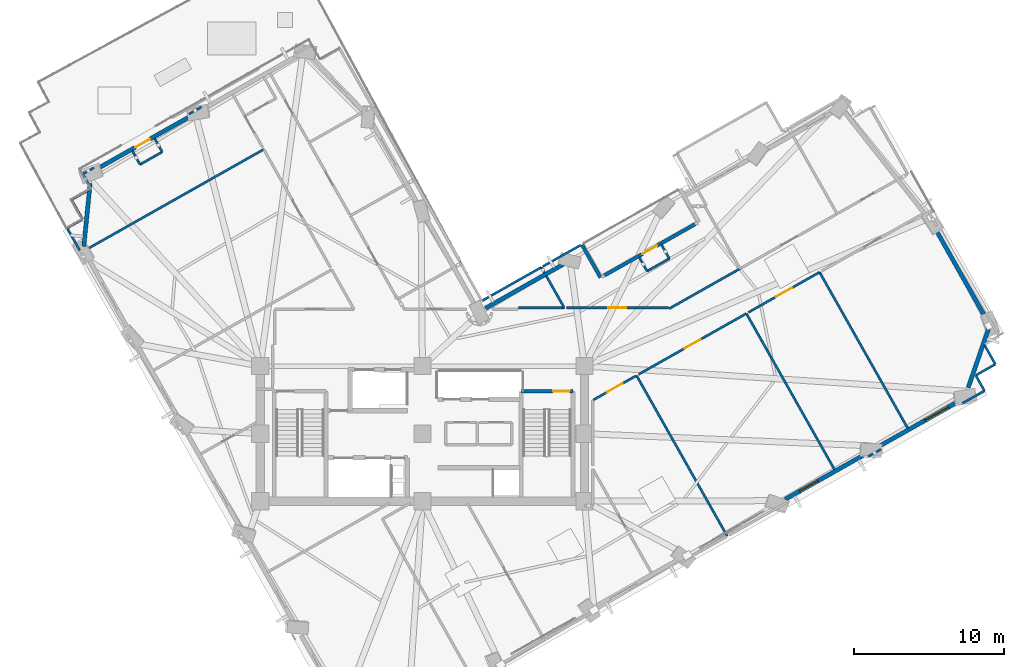
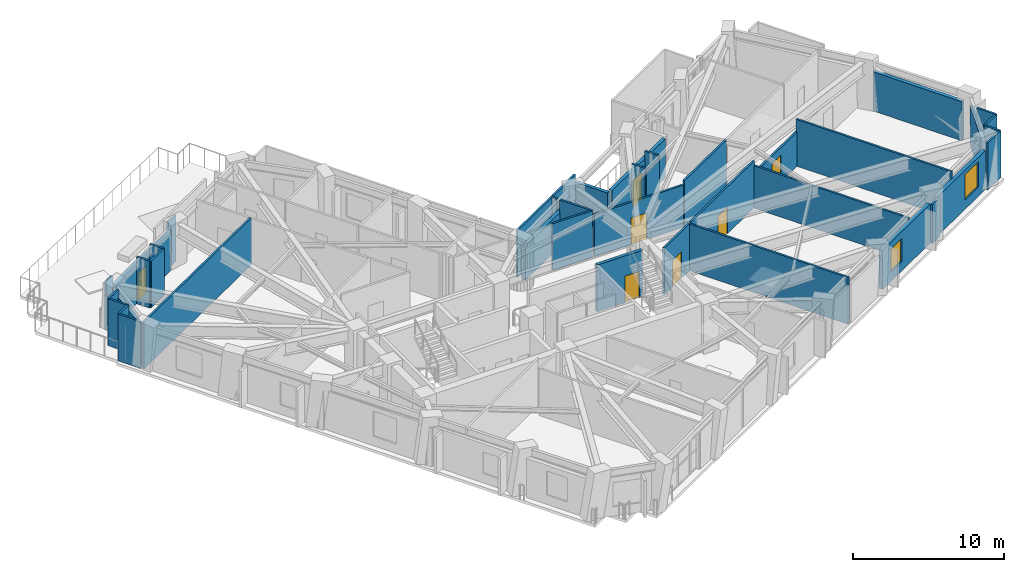
# One storey, part 12 of 18: 42 walls, 7 doors, 2 windows, 9 openings.
"""IFC4 building model written with IfcOpenShell, lengths in metres."""

from ifc_helpers import new_model, si_unit, direction, frame, frame_2d, origin, place, context, subcontext, project, spatial, rectangle, extrude, material, layer, layer_set, type_object, element, fill, save


model = new_model("IFC4")

# Units and contexts
model_context = context("Model", 3, precision=1e-05, world=origin(), true_north=direction((0.0, 1.0)))
body_context = subcontext(model_context, "Body", "Model", "MODEL_VIEW")
ifc_project = project(units=[si_unit("LENGTHUNIT", "METRE"), si_unit("AREAUNIT", "SQUARE_METRE"), si_unit("VOLUMEUNIT", "CUBIC_METRE"), si_unit("PLANEANGLEUNIT", "RADIAN"), si_unit("MASSUNIT", "GRAM", prefix="KILO")], contexts=[model_context])

# Site, building, storey
site_placement = place(None, origin())
site = spatial("IfcSite", under=ifc_project, at=site_placement, CompositionType="ELEMENT")
building_placement = place(site_placement, origin())
building = spatial("IfcBuilding", under=site, at=building_placement, Name="Gaonmaruhae Medical Tower", CompositionType="ELEMENT")
storey_placement = place(building_placement, frame((0.0, 0.0, 149.800048828125)))
storey = spatial("IfcBuildingStorey", under=building, at=storey_placement, Name="L35", CompositionType="ELEMENT", Elevation=149.800048828125)

# Wall, opening, door
ifc_material_1 = material(Name="Precast concrete C45/55", Category="concrete")
ifc_layer_1 = layer(ifc_material_1, 0.239990234375)
ifc_layer_set_1 = layer_set([ifc_layer_1], Name="Precast concrete C45/55")
wall_type_1 = type_object("IfcWallType", Name="EW-240 Ribbon & Shelter Insulated Precast Wall", PredefinedType="SOLIDWALL", material=ifc_layer_set_1)
wall_1_placement = place(storey_placement, frame((36.90869140625, 22.83251953125, 0.0), z_axis=(0.0, 0.0, 1.0), x_axis=(0.870780952781, 0.491671162744, 0.0)))
wall_1 = element("IfcWall", 1, at=wall_1_placement, inside=storey, type_object=wall_type_1, Name="L35 Recessed Terrace Enclosure Wall TERB", PredefinedType="SOLIDWALL", context=body_context, shape_type="SweptSolid", body=[
    extrude(rectangle(XDim=6.960205078125, YDim=0.239990234375, at=frame_2d((3.47998046875, 0.0))), origin(), (0.0, 0.0, 1.0), 3.1650390625),
])
opening_1_placement = place(wall_1_placement, frame((2.929931640625, 0.0, 0.0)))
opening_1 = element("IfcOpeningElement", 2, at=opening_1_placement, cuts=wall_1, Name="Opening TD-01", PredefinedType="OPENING", context=body_context, shape_type="SweptSolid", body=[
    extrude(rectangle(XDim=1.10009765625, YDim=2.14990234375, at=frame_2d((0.550048828125, 1.074951171875))), frame((0.0, 0.1298828125, 0.0), z_axis=(0.0, -1.0, 0.0), x_axis=(1.0, 0.0, 0.0)), (0.0, 0.0, 1.0), 0.260009765625),
])
ifc_material_2 = material(Name="Anodised aluminium and toughened safety glass", Category="aluminium")
door_type_1 = type_object("IfcDoorType", Name="TD-01 Terrace & Sky Garden Glazed Door 1100x2150", OperationType="NOTDEFINED", PredefinedType="DOOR", material=ifc_material_2)
door_1_placement = place(opening_1_placement, origin())
door_1 = element("IfcDoor", 3, at=door_1_placement, inside=storey, type_object=door_type_1, Name="L35 Outdoor Terrace Access Door SLB-L35-TER", OperationType="SINGLE_SWING_RIGHT", OverallHeight=2.14990234375, OverallWidth=1.10009765625, PredefinedType="DOOR", context=body_context, shape_type="SweptSolid", body=[
    extrude(rectangle(XDim=1.10009765625, YDim=2.14990234375, at=frame_2d((0.550048828125, 1.074951171875))), frame((0.0, 0.02490234375, 0.0), z_axis=(0.0, -1.0, 0.0), x_axis=(1.0, 0.0, 0.0)), (0.0, 0.0, 1.0), 0.050048828125),
])
fill(opening_1, door_1)

# Wall
wall_2_placement = place(storey_placement, frame((35.435791015625, 24.871826171875, 0.0), z_axis=(0.0, 0.0, 1.0), x_axis=(0.491725759478, -0.870750123437, 0.0)))
element("IfcWall", 4, at=wall_2_placement, inside=storey, type_object=wall_type_1, Name="L35 Recessed Terrace Enclosure Wall TERL", PredefinedType="SOLIDWALL", context=body_context, shape_type="SweptSolid", body=[
    extrude(rectangle(XDim=2.499755859375, YDim=0.239990234375, at=frame_2d((1.25, 0.0))), origin(), (0.0, 0.0, 1.0), 3.1650390625),
])

# Wall, opening, window
ifc_layer_2 = layer(ifc_material_1, 0.280029296875)
ifc_layer_set_2 = layer_set([ifc_layer_2], Name="Precast concrete C45/55")
wall_type_2 = type_object("IfcWallType", Name="EW-280 Upper Precast Masonry-Frame Facade Wall", PredefinedType="SOLIDWALL", material=ifc_layer_set_2)
wall_3_placement = place(storey_placement, frame((54.376953125, 10.9794921875, 0.0), z_axis=(0.0, 0.0, 1.0), x_axis=(-0.870780660268, -0.491671680803, 0.0)))
wall_3 = element("IfcWall", 5, at=wall_3_placement, inside=storey, type_object=wall_type_2, Name="L35 Precast Masonry-Frame Wall S05-S06", PredefinedType="SOLIDWALL", context=body_context, shape_type="SweptSolid", body=[
    extrude(rectangle(XDim=6.21826171875, YDim=0.280029296875, at=frame_2d((3.109130859375, 0.0))), origin(), (0.0, 0.0, 1.0), 3.1650390625),
])
opening_2_placement = place(wall_3_placement, frame((3.704833984375, 0.0, 0.75)))
opening_2 = element("IfcOpeningElement", 6, at=opening_2_placement, cuts=wall_3, Name="Opening WN-03", PredefinedType="OPENING", context=body_context, shape_type="SweptSolid", body=[
    extrude(rectangle(XDim=1.39990234375, YDim=1.85009765625, at=frame_2d((0.699951171875, 0.925048828125))), frame((0.0, 0.14990234375, 0.0), z_axis=(0.0, -1.0, 0.0), x_axis=(1.0, 0.0, 0.0)), (0.0, 0.0, 1.0), 0.300048828125),
])
ifc_material_3 = material(Name="Anodised aluminium and Low-E double glazing", Category="aluminium")
window_type_1 = type_object("IfcWindowType", Name="WN-03 Isolation Ward Punched Window 1400x1850", PartitioningType="SINGLE_PANEL", PredefinedType="WINDOW", material=ifc_material_3)
window_1_placement = place(opening_2_placement, origin())
window_1 = element("IfcWindow", 7, at=window_1_placement, inside=storey, type_object=window_type_1, Name="L35 Modular Facade Window S05", OverallHeight=1.85009765625, OverallWidth=1.39990234375, PartitioningType="SINGLE_PANEL", PredefinedType="WINDOW", context=body_context, shape_type="SweptSolid", body=[
    extrude(rectangle(XDim=1.39990234375, YDim=1.85009765625, at=frame_2d((0.699951171875, 0.925048828125))), frame((0.0, 0.030029296875, 0.0), z_axis=(0.0, -1.0, 0.0), x_axis=(1.0, 0.0, 0.0)), (0.0, 0.0, 1.0), 0.06005859375),
])
fill(opening_2, window_1)

wall_4_placement = place(storey_placement, frame((60.659912109375, 14.527099609375, 0.0), z_axis=(0.0, 0.0, 1.0), x_axis=(-0.870773266838, -0.49168477479, 0.0)))
wall_4 = element("IfcWall", 8, at=wall_4_placement, inside=storey, type_object=wall_type_2, Name="L35 Precast Masonry-Frame Wall S06-S07", PredefinedType="SOLIDWALL", context=body_context, shape_type="SweptSolid", body=[
    extrude(rectangle(XDim=6.242431640625, YDim=0.280029296875, at=frame_2d((3.12109375, 0.0))), origin(), (0.0, 0.0, 1.0), 3.1650390625),
])
opening_3_placement = place(wall_4_placement, frame((0.920166015625, 0.0, 0.75)))
opening_3 = element("IfcOpeningElement", 9, at=opening_3_placement, cuts=wall_4, Name="Opening WN-04", PredefinedType="OPENING", context=body_context, shape_type="SweptSolid", body=[
    extrude(rectangle(XDim=1.800048828125, YDim=2.050048828125, at=frame_2d((0.89990234375, 1.02490234375))), frame((0.0, 0.14990234375, 0.0), z_axis=(0.0, -1.0, 0.0), x_axis=(1.0, 0.0, 0.0)), (0.0, 0.0, 1.0), 0.300048828125),
])
window_type_2 = type_object("IfcWindowType", Name="WN-04 Clinic & Consult Punched Window 1800x2050", PartitioningType="SINGLE_PANEL", PredefinedType="WINDOW", material=ifc_material_3)
window_2_placement = place(opening_3_placement, origin())
window_2 = element("IfcWindow", 10, at=window_2_placement, inside=storey, type_object=window_type_2, Name="L35 Modular Facade Window S06", OverallHeight=2.050048828125, OverallWidth=1.800048828125, PartitioningType="SINGLE_PANEL", PredefinedType="WINDOW", context=body_context, shape_type="SweptSolid", body=[
    extrude(rectangle(XDim=1.800048828125, YDim=2.050048828125, at=frame_2d((0.89990234375, 1.02490234375))), frame((0.0, 0.030029296875, 0.0), z_axis=(0.0, -1.0, 0.0), x_axis=(1.0, 0.0, 0.0)), (0.0, 0.0, 1.0), 0.06005859375),
])
fill(opening_3, window_2)

# Walls
wall_5_placement = place(storey_placement, frame((62.50830078125, 19.2822265625, 0.0), z_axis=(0.0, 0.0, 1.0), x_axis=(-0.32730273806, -0.944919529727, 0.0)))
element("IfcWall", 11, at=wall_5_placement, inside=storey, type_object=wall_type_2, Name="L35 Precast Masonry-Frame Wall S07-E01", PredefinedType="SOLIDWALL", context=body_context, shape_type="SweptSolid", body=[
    extrude(rectangle(XDim=4.14501953125, YDim=0.280029296875, at=frame_2d((2.072509765625, 0.0))), origin(), (0.0, 0.0, 1.0), 3.1650390625),
])
wall_6_placement = place(storey_placement, frame((58.9033203125, 26.05322265625, 0.0), z_axis=(0.0, 0.0, 1.0), x_axis=(0.491677314886, -0.870777479053, 0.0)))
element("IfcWall", 12, at=wall_6_placement, inside=storey, type_object=wall_type_2, Name="L35 Precast Masonry-Frame Wall E01-E02", PredefinedType="SOLIDWALL", context=body_context, shape_type="SweptSolid", body=[
    extrude(rectangle(XDim=6.83984375, YDim=0.280029296875, at=frame_2d((3.419921875, 0.0))), origin(), (0.0, 0.0, 1.0), 3.1650390625),
])
wall_7_placement = place(storey_placement, frame((28.999755859375, 20.65234375, 0.0), z_axis=(0.0, 0.0, 1.0), x_axis=(0.870797720875, 0.491641464199, 0.0)))
element("IfcWall", 13, at=wall_7_placement, inside=storey, type_object=wall_type_2, Name="L35 Precast Masonry-Frame Wall EN03-KN01", PredefinedType="SOLIDWALL", context=body_context, shape_type="SweptSolid", body=[
    extrude(rectangle(XDim=5.9599609375, YDim=0.280029296875, at=frame_2d((2.97998046875, 0.0))), origin(), (0.0, 0.0, 1.0), 2.764892578125),
])

# Wall, opening, door
wall_8_placement = place(storey_placement, frame((3.00146484375, 29.859619140625, 0.0), z_axis=(0.0, 0.0, 1.0), x_axis=(0.87078604554, 0.491662143033, 0.0)))
wall_8 = element("IfcWall", 14, at=wall_8_placement, inside=storey, type_object=wall_type_2, Name="L35 Precast Masonry-Frame Wall N02-N03", PredefinedType="SOLIDWALL", context=body_context, shape_type="SweptSolid", body=[
    extrude(rectangle(XDim=7.269775390625, YDim=0.280029296875, at=frame_2d((3.634765625, 0.0))), origin(), (0.0, 0.0, 1.0), 3.1650390625),
])
opening_4_placement = place(wall_8_placement, frame((3.0849609375, 0.0, 0.0)))
opening_4 = element("IfcOpeningElement", 15, at=opening_4_placement, cuts=wall_8, Name="Opening TD-01", PredefinedType="OPENING", context=body_context, shape_type="SweptSolid", body=[
    extrude(rectangle(XDim=1.10009765625, YDim=2.14990234375, at=frame_2d((0.550048828125, 1.074951171875))), frame((0.0, 0.14990234375, 0.0), z_axis=(0.0, -1.0, 0.0), x_axis=(1.0, 0.0, 0.0)), (0.0, 0.0, 1.0), 0.300048828125),
])
door_2_placement = place(opening_4_placement, origin())
door_2 = element("IfcDoor", 16, at=door_2_placement, inside=storey, type_object=door_type_1, Name="L35 Outdoor Terrace Access Door SLB-L35-SKYG1", OperationType="SINGLE_SWING_LEFT", OverallHeight=2.14990234375, OverallWidth=1.10009765625, PredefinedType="DOOR", context=body_context, shape_type="SweptSolid", body=[
    extrude(rectangle(XDim=1.10009765625, YDim=2.14990234375, at=frame_2d((0.550048828125, 1.074951171875))), frame((0.0, 0.02490234375, 0.0), z_axis=(0.0, -1.0, 0.0), x_axis=(1.0, 0.0, 0.0)), (0.0, 0.0, 1.0), 0.050048828125),
])
fill(opening_4, door_2)

# Walls
wall_9_placement = place(storey_placement, frame((2.24755859375, 24.775390625, 0.0), z_axis=(0.0, 0.0, 1.0), x_axis=(0.100485371099, 0.994938535888, 0.0)))
element("IfcWall", 17, at=wall_9_placement, inside=storey, type_object=wall_type_2, Name="L35 Precast Masonry-Frame Wall N03-W01", PredefinedType="SOLIDWALL", context=body_context, shape_type="SweptSolid", body=[
    extrude(rectangle(XDim=4.21044921875, YDim=0.280029296875, at=frame_2d((2.105224609375, 0.0))), origin(), (0.0, 0.0, 1.0), 3.1650390625),
])
ifc_material_4 = material(Name="Gypsum board partition", Category="gypsum")
ifc_layer_3 = layer(ifc_material_4, 0.14990234375)
ifc_layer_set_3 = layer_set([ifc_layer_3], Name="Gypsum board partition")
wall_type_3 = type_object("IfcWallType", Name="PW-150 Rated Clinical Corridor Partition", PredefinedType="PARTITIONING", material=ifc_layer_set_3)
wall_10_placement = place(storey_placement, frame((39.06298828125, 16.1708984375, 0.0), z_axis=(0.0, 0.0, 1.0), x_axis=(0.491704764432, -0.870761979323, 0.0)))
element("IfcWall", 18, at=wall_10_placement, inside=storey, type_object=wall_type_3, Name="L35 Interior Partition L35-SUP04-16", PredefinedType="PARTITIONING", context=body_context, shape_type="SweptSolid", body=[
    extrude(rectangle(XDim=12.27978515625, YDim=0.14990234375, at=frame_2d((6.139892578125, 0.0))), origin(), (0.0, 0.0, 1.0), 3.780029296875),
])

# Wall, opening, door
wall_11_placement = place(storey_placement, frame((36.193115234375, 14.551025390625, 0.0), z_axis=(0.0, 0.0, 1.0), x_axis=(0.870865345637, 0.49152166765, 0.0)))
wall_11 = element("IfcWall", 19, at=wall_11_placement, inside=storey, type_object=wall_type_3, Name="L35 Interior Partition L35-SUP04-19", PredefinedType="PARTITIONING", context=body_context, shape_type="SweptSolid", body=[
    extrude(rectangle(XDim=3.244873046875, YDim=0.14990234375, at=frame_2d((1.62255859375, 0.0))), origin(), (0.0, 0.0, 1.0), 3.780029296875),
])
opening_5_placement = place(wall_11_placement, frame((1.0224609375, 0.0, 0.0)))
opening_5 = element("IfcOpeningElement", 20, at=opening_5_placement, cuts=wall_11, Name="Opening CD-02", PredefinedType="OPENING", context=body_context, shape_type="SweptSolid", body=[
    extrude(rectangle(XDim=1.199951171875, YDim=2.14990234375, at=frame_2d((0.60009765625, 1.074951171875))), frame((0.0, 0.0849609375, 0.0), z_axis=(0.0, -1.0, 0.0), x_axis=(1.0, 0.0, 0.0)), (0.0, 0.0, 1.0), 0.169921875),
])
ifc_material_5 = material(Name="Antimicrobial laminate timber fire door", Category="wood")
door_type_2 = type_object("IfcDoorType", Name="CD-02 Clinical Treatment & Procedure Door 1200x2150", OperationType="NOTDEFINED", PredefinedType="DOOR", material=ifc_material_5)
door_3_placement = place(opening_5_placement, origin())
door_3 = element("IfcDoor", 21, at=door_3_placement, inside=storey, type_object=door_type_2, Name="L35 Clinical Biomedical Charting Office Door", OperationType="SINGLE_SWING_LEFT", OverallHeight=2.14990234375, OverallWidth=1.199951171875, PredefinedType="DOOR", context=body_context, shape_type="SweptSolid", body=[
    extrude(rectangle(XDim=1.199951171875, YDim=2.14990234375, at=frame_2d((0.60009765625, 1.074951171875))), frame((0.0, 0.02490234375, 0.0), z_axis=(0.0, -1.0, 0.0), x_axis=(1.0, 0.0, 0.0)), (0.0, 0.0, 1.0), 0.050048828125),
])
fill(opening_5, door_3)

wall_12_placement = place(storey_placement, frame((39.202880859375, 16.25, 0.0), z_axis=(0.0, 0.0, 1.0), x_axis=(0.870793414879, 0.491649090921, 0.0)))
wall_12 = element("IfcWall", 22, at=wall_12_placement, inside=storey, type_object=wall_type_3, Name="L35 Interior Partition L35-SUP05-20", PredefinedType="PARTITIONING", context=body_context, shape_type="SweptSolid", body=[
    extrude(rectangle(XDim=8.23974609375, YDim=0.14990234375, at=frame_2d((4.119873046875, 0.0))), origin(), (0.0, 0.0, 1.0), 3.780029296875),
])
opening_6_placement = place(wall_12_placement, frame((3.519775390625, 0.0, 0.0)))
opening_6 = element("IfcOpeningElement", 23, at=opening_6_placement, cuts=wall_12, Name="Opening CD-02", PredefinedType="OPENING", context=body_context, shape_type="SweptSolid", body=[
    extrude(rectangle(XDim=1.199951171875, YDim=2.14990234375, at=frame_2d((0.60009765625, 1.074951171875))), frame((0.0, 0.0849609375, 0.0), z_axis=(0.0, -1.0, 0.0), x_axis=(1.0, 0.0, 0.0)), (0.0, 0.0, 1.0), 0.169921875),
])
door_4_placement = place(opening_6_placement, origin())
door_4 = element("IfcDoor", 24, at=door_4_placement, inside=storey, type_object=door_type_2, Name="L35 Clinical Biomedical Charting Office Door", OperationType="SINGLE_SWING_RIGHT", OverallHeight=2.14990234375, OverallWidth=1.199951171875, PredefinedType="DOOR", context=body_context, shape_type="SweptSolid", body=[
    extrude(rectangle(XDim=1.199951171875, YDim=2.14990234375, at=frame_2d((0.60009765625, 1.074951171875))), frame((0.0, 0.02490234375, 0.0), z_axis=(0.0, -1.0, 0.0), x_axis=(1.0, 0.0, 0.0)), (0.0, 0.0, 1.0), 0.050048828125),
])
fill(opening_6, door_4)

# Wall
wall_13_placement = place(storey_placement, frame((46.3779296875, 20.301025390625, 0.0), z_axis=(0.0, 0.0, 1.0), x_axis=(0.491699953703, -0.870764695844, 0.0)))
element("IfcWall", 25, at=wall_13_placement, inside=storey, type_object=wall_type_3, Name="L35 Interior Partition L35-SUP05-21", PredefinedType="PARTITIONING", context=body_context, shape_type="SweptSolid", body=[
    extrude(rectangle(XDim=11.934326171875, YDim=0.14990234375, at=frame_2d((5.96728515625, 0.0))), origin(), (0.0, 0.0, 1.0), 3.4150390625),
])

# Wall, opening, door
wall_14_placement = place(storey_placement, frame((46.51708984375, 20.3798828125, 0.0), z_axis=(0.0, 0.0, 1.0), x_axis=(0.870819350586, 0.491603151581, 0.0)))
wall_14 = element("IfcWall", 26, at=wall_14_placement, inside=storey, type_object=wall_type_3, Name="L35 Interior Partition L35-SUP06-23", PredefinedType="PARTITIONING", context=body_context, shape_type="SweptSolid", body=[
    extrude(rectangle(XDim=5.439453125, YDim=0.14990234375, at=frame_2d((2.7197265625, 0.0))), origin(), (0.0, 0.0, 1.0), 2.764892578125),
])
opening_7_placement = place(wall_14_placement, frame((2.119873046875, 0.0, 0.0)))
opening_7 = element("IfcOpeningElement", 27, at=opening_7_placement, cuts=wall_14, Name="Opening CD-02", PredefinedType="OPENING", context=body_context, shape_type="SweptSolid", body=[
    extrude(rectangle(XDim=1.199951171875, YDim=2.14990234375, at=frame_2d((0.60009765625, 1.074951171875))), frame((0.0, 0.0849609375, 0.0), z_axis=(0.0, -1.0, 0.0), x_axis=(1.0, 0.0, 0.0)), (0.0, 0.0, 1.0), 0.169921875),
])
door_5_placement = place(opening_7_placement, origin())
door_5 = element("IfcDoor", 28, at=door_5_placement, inside=storey, type_object=door_type_2, Name="L35 Clinical Biomedical Charting Office Door", OperationType="SINGLE_SWING_RIGHT", OverallHeight=2.14990234375, OverallWidth=1.199951171875, PredefinedType="DOOR", context=body_context, shape_type="SweptSolid", body=[
    extrude(rectangle(XDim=1.199951171875, YDim=2.14990234375, at=frame_2d((0.60009765625, 1.074951171875))), frame((0.0, 0.02490234375, 0.0), z_axis=(0.0, -1.0, 0.0), x_axis=(1.0, 0.0, 0.0)), (0.0, 0.0, 1.0), 0.050048828125),
])
fill(opening_7, door_5)

# Walls
wall_15_placement = place(storey_placement, frame((51.25390625, 23.053955078125, 0.0), z_axis=(0.0, 0.0, 1.0), x_axis=(0.49170871252, -0.870759749892, 0.0)))
element("IfcWall", 29, at=wall_15_placement, inside=storey, type_object=wall_type_3, Name="L35 Interior Partition L35-SUP06-24", PredefinedType="PARTITIONING", context=body_context, shape_type="SweptSolid", body=[
    extrude(rectangle(XDim=11.934326171875, YDim=0.14990234375, at=frame_2d((5.96728515625, 0.0))), origin(), (0.0, 0.0, 1.0), 3.780029296875),
])
wall_16_placement = place(storey_placement, frame((55.3369140625, 11.258056640625, 0.0), z_axis=(0.0, 0.0, 1.0), x_axis=(-0.870427282353, -0.492297010082, 0.0)))
element("IfcWall", 30, at=wall_16_placement, inside=storey, type_object=wall_type_3, Name="L35 Interior Partition L35-SUP06-25", PredefinedType="PARTITIONING", context=body_context, shape_type="SweptSolid", body=[
    extrude(rectangle(XDim=0.972900390625, YDim=0.14990234375, at=frame_2d((0.486328125, 0.0))), origin(), (0.0, 0.0, 1.0), 3.1650390625),
])
wall_17_placement = place(storey_placement, frame((62.968017578125, 16.9208984375, 0.0), z_axis=(0.0, 0.0, 1.0), x_axis=(-0.870935586578, -0.491397195792, 0.0)))
element("IfcWall", 31, at=wall_17_placement, inside=storey, type_object=wall_type_3, Name="L35 Interior Partition L35-SUP07-26", PredefinedType="PARTITIONING", context=body_context, shape_type="SweptSolid", body=[
    extrude(rectangle(XDim=1.49951171875, YDim=0.14990234375, at=frame_2d((0.749755859375, 0.0))), origin(), (0.0, 0.0, 1.0), 3.780029296875),
])
wall_18_placement = place(storey_placement, frame((61.662109375, 16.18408203125, 0.0), z_axis=(0.0, 0.0, 1.0), x_axis=(0.491252787864, -0.871017048292, 0.0)))
element("IfcWall", 32, at=wall_18_placement, inside=storey, type_object=wall_type_3, Name="L35 Interior Partition L35-SUP07-27", PredefinedType="PARTITIONING", context=body_context, shape_type="SweptSolid", body=[
    extrude(rectangle(XDim=1.180419921875, YDim=0.14990234375, at=frame_2d((0.59033203125, 0.0))), origin(), (0.0, 0.0, 1.0), 3.780029296875),
])
wall_19_placement = place(storey_placement, frame((62.241943359375, 15.156005859375, 0.0), z_axis=(0.0, 0.0, 1.0), x_axis=(-0.870867277829, -0.491518244226, 0.0)))
element("IfcWall", 33, at=wall_19_placement, inside=storey, type_object=wall_type_3, Name="L35 Interior Partition L35-SUP07-28", PredefinedType="PARTITIONING", context=body_context, shape_type="SweptSolid", body=[
    extrude(rectangle(XDim=1.686767578125, YDim=0.14990234375, at=frame_2d((0.84326171875, 0.0))), origin(), (0.0, 0.0, 1.0), 3.780029296875),
])
wall_20_placement = place(storey_placement, frame((62.251953125, 18.19091796875, 0.0), z_axis=(0.0, 0.0, 1.0), x_axis=(0.491135517472, -0.871083178277, 0.0)))
element("IfcWall", 34, at=wall_20_placement, inside=storey, type_object=wall_type_3, Name="L35 Interior Partition L35-SUP07-33", PredefinedType="PARTITIONING", context=body_context, shape_type="SweptSolid", body=[
    extrude(rectangle(XDim=1.4580078125, YDim=0.14990234375, at=frame_2d((0.72900390625, 0.0))), origin(), (0.0, 0.0, 1.0), 3.780029296875),
])
wall_21_placement = place(storey_placement, frame((2.06005859375, 24.361083984375, 0.0), z_axis=(0.0, 0.0, 1.0), x_axis=(0.870772215096, 0.491686637419, 0.0)))
element("IfcWall", 35, at=wall_21_placement, inside=storey, type_object=wall_type_3, Name="L35 Interior Partition L35-WOF10-45", PredefinedType="PARTITIONING", context=body_context, shape_type="SweptSolid", body=[
    extrude(rectangle(XDim=13.98046875, YDim=0.14990234375, at=frame_2d((6.990234375, 0.0))), origin(), (0.0, 0.0, 1.0), 3.780029296875),
])
wall_22_placement = place(storey_placement, frame((2.552978515625, 28.94091796875, 0.0), z_axis=(0.0, 0.0, 1.0), x_axis=(-0.492379351397, 0.87038070654, 0.0)))
element("IfcWall", 36, at=wall_22_placement, inside=storey, type_object=wall_type_3, Name="L35 Interior Partition L35-WOF11-49", PredefinedType="PARTITIONING", context=body_context, shape_type="SweptSolid", body=[
    extrude(rectangle(XDim=0.749267578125, YDim=0.14990234375, at=frame_2d((0.37451171875, 0.0))), origin(), (0.0, 0.0, 1.0), 2.764892578125),
])
wall_23_placement = place(storey_placement, frame((2.18408203125, 29.593017578125, 0.0), z_axis=(0.0, 0.0, 1.0), x_axis=(0.870940315607, 0.491388814128, 0.0)))
element("IfcWall", 37, at=wall_23_placement, inside=storey, type_object=wall_type_3, Name="L35 Interior Partition L35-WOF11-50", PredefinedType="PARTITIONING", context=body_context, shape_type="SweptSolid", body=[
    extrude(rectangle(XDim=0.842529296875, YDim=0.14990234375, at=frame_2d((0.42138671875, 0.0))), origin(), (0.0, 0.0, 1.0), 3.780029296875),
])
wall_24_placement = place(storey_placement, frame((5.48291015625, 31.12890625, 0.0), z_axis=(0.0, 0.0, 1.0), x_axis=(0.491536697049, -0.870856862782, 0.0)))
element("IfcWall", 38, at=wall_24_placement, inside=storey, type_object=wall_type_3, Name="L35 Interior Partition L35-WOF11-51", PredefinedType="PARTITIONING", context=body_context, shape_type="SweptSolid", body=[
    extrude(rectangle(XDim=1.03564453125, YDim=0.14990234375, at=frame_2d((0.517822265625, 0.0))), origin(), (0.0, 0.0, 1.0), 3.780029296875),
])
wall_25_placement = place(storey_placement, frame((5.991943359375, 30.22705078125, 0.0), z_axis=(0.0, 0.0, 1.0), x_axis=(0.870707257982, 0.491801658088, 0.0)))
element("IfcWall", 39, at=wall_25_placement, inside=storey, type_object=wall_type_3, Name="L35 Interior Partition L35-WOF11-52", PredefinedType="PARTITIONING", context=body_context, shape_type="SweptSolid", body=[
    extrude(rectangle(XDim=1.69970703125, YDim=0.14990234375, at=frame_2d((0.849853515625, 0.0))), origin(), (0.0, 0.0, 1.0), 3.780029296875),
])
wall_26_placement = place(storey_placement, frame((7.471923828125, 31.06298828125, 0.0), z_axis=(0.0, 0.0, 1.0), x_axis=(-0.491839596701, 0.870685828021, 0.0)))
element("IfcWall", 40, at=wall_26_placement, inside=storey, type_object=wall_type_3, Name="L35 Interior Partition L35-WOF11-53", PredefinedType="PARTITIONING", context=body_context, shape_type="SweptSolid", body=[
    extrude(rectangle(XDim=1.034912109375, YDim=0.14990234375, at=frame_2d((0.517578125, 0.0))), origin(), (0.0, 0.0, 1.0), 3.780029296875),
])
wall_27_placement = place(storey_placement, frame((9.248046875, 33.58203125, 0.0), z_axis=(0.0, 0.0, 1.0), x_axis=(0.870891428994, 0.491475450969, 0.0)))
element("IfcWall", 41, at=wall_27_placement, inside=storey, type_object=wall_type_3, Name="L35 Interior Partition L35-WOF11-54", PredefinedType="PARTITIONING", context=body_context, shape_type="SweptSolid", body=[
    extrude(rectangle(XDim=0.954345703125, YDim=0.14990234375, at=frame_2d((0.47705078125, 0.0))), origin(), (0.0, 0.0, 1.0), 3.780029296875),
])
wall_28_placement = place(storey_placement, frame((1.98193359375, 24.5009765625, 0.0), z_axis=(0.0, 0.0, 1.0), x_axis=(-0.492132309021, 0.870520413556, 0.0)))
element("IfcWall", 42, at=wall_28_placement, inside=storey, type_object=wall_type_3, Name="L35 Interior Partition L35-WOF11-56", PredefinedType="PARTITIONING", context=body_context, shape_type="SweptSolid", body=[
    extrude(rectangle(XDim=1.715087890625, YDim=0.14990234375, at=frame_2d((0.857421875, 0.0))), origin(), (0.0, 0.0, 1.0), 3.780029296875),
])
wall_29_placement = place(storey_placement, frame((1.137939453125, 25.993896484375, 0.0), z_axis=(0.0, 0.0, 1.0), x_axis=(0.870928537075, 0.491409689881, 0.0)))
element("IfcWall", 43, at=wall_29_placement, inside=storey, type_object=wall_type_3, Name="L35 Interior Partition L35-WOF11-57", PredefinedType="PARTITIONING", context=body_context, shape_type="SweptSolid", body=[
    extrude(rectangle(XDim=1.180419921875, YDim=0.14990234375, at=frame_2d((0.59033203125, 0.0))), origin(), (0.0, 0.0, 1.0), 3.780029296875),
])
wall_30_placement = place(storey_placement, frame((2.166015625, 26.573974609375, 0.0), z_axis=(0.0, 0.0, 1.0), x_axis=(-0.492014351651, 0.870587087987, 0.0)))
element("IfcWall", 44, at=wall_30_placement, inside=storey, type_object=wall_type_3, Name="L35 Interior Partition L35-WOF11-58", PredefinedType="PARTITIONING", context=body_context, shape_type="SweptSolid", body=[
    extrude(rectangle(XDim=1.5, YDim=0.14990234375, at=frame_2d((0.75, 0.0))), origin(), (0.0, 0.0, 1.0), 3.780029296875),
])
wall_31_placement = place(storey_placement, frame((1.427978515625, 27.8798828125, 0.0), z_axis=(0.0, 0.0, 1.0), x_axis=(0.870837912581, 0.491570269658, 0.0)))
element("IfcWall", 45, at=wall_31_placement, inside=storey, type_object=wall_type_3, Name="L35 Interior Partition L35-WOF11-59", PredefinedType="PARTITIONING", context=body_context, shape_type="SweptSolid", body=[
    extrude(rectangle(XDim=1.2392578125, YDim=0.14990234375, at=frame_2d((0.61962890625, 0.0))), origin(), (0.0, 0.0, 1.0), 3.780029296875),
])
wall_32_placement = place(storey_placement, frame((32.721923828125, 23.385986328125, 0.0), z_axis=(0.0, 0.0, 1.0), x_axis=(0.491964831571, -0.870615072519, 0.0)))
element("IfcWall", 46, at=wall_32_placement, inside=storey, type_object=wall_type_3, Name="L35 Interior Partition L35-IE01-60", PredefinedType="PARTITIONING", context=body_context, shape_type="SweptSolid", body=[
    extrude(rectangle(XDim=0.435302734375, YDim=0.14990234375, at=frame_2d((0.2177734375, 0.0))), origin(), (0.0, 0.0, 1.0), 3.780029296875),
])
wall_33_placement = place(storey_placement, frame((33.049072265625, 22.806884765625, 0.0), z_axis=(0.0, 0.0, 1.0), x_axis=(0.491665273571, -0.870784277973, 0.0)))
element("IfcWall", 47, at=wall_33_placement, inside=storey, type_object=wall_type_3, Name="L35 Interior Partition L35-IE01-61", PredefinedType="PARTITIONING", context=body_context, shape_type="SweptSolid", body=[
    extrude(rectangle(XDim=2.442626953125, YDim=0.14990234375, at=frame_2d((1.22119140625, 0.0))), origin(), (0.0, 0.0, 1.0), 3.780029296875),
])
wall_34_placement = place(storey_placement, frame((34.25, 20.679931640625, 0.0), z_axis=(0.0, 0.0, 1.0), x_axis=(-1.0, 0.0, 0.0)))
element("IfcWall", 48, at=wall_34_placement, inside=storey, type_object=wall_type_3, Name="L35 Interior Partition L35-IE01-62", PredefinedType="PARTITIONING", context=body_context, shape_type="SweptSolid", body=[
    extrude(rectangle(XDim=3.050048828125, YDim=0.14990234375, at=frame_2d((1.52490234375, 0.0))), origin(), (0.0, 0.0, 1.0), 3.780029296875),
])
wall_35_placement = place(storey_placement, frame((28.76904296875, 21.153076171875, 0.0), z_axis=(0.0, 0.0, 1.0), x_axis=(0.870688005498, 0.491835741973, 0.0)))
element("IfcWall", 49, at=wall_35_placement, inside=storey, type_object=wall_type_3, Name="L35 Interior Partition L35-IE01-73", PredefinedType="PARTITIONING", context=body_context, shape_type="SweptSolid", body=[
    extrude(rectangle(XDim=4.5400390625, YDim=0.14990234375, at=frame_2d((2.27001953125, 0.0))), origin(), (0.0, 0.0, 1.0), 3.780029296875),
])
wall_36_placement = place(storey_placement, frame((32.825927734375, 23.445068359375, 0.0), z_axis=(0.0, 0.0, 1.0), x_axis=(0.870956203304, 0.491360653621, 0.0)))
element("IfcWall", 50, at=wall_36_placement, inside=storey, type_object=wall_type_3, Name="L35 Interior Partition L35-IE02-74", PredefinedType="PARTITIONING", context=body_context, shape_type="SweptSolid", body=[
    extrude(rectangle(XDim=2.8876953125, YDim=0.14990234375, at=frame_2d((1.44384765625, 0.0))), origin(), (0.0, 0.0, 1.0), 3.780029296875),
])
wall_37_placement = place(storey_placement, frame((39.24609375, 24.04296875, 0.0), z_axis=(0.0, 0.0, 1.0), x_axis=(0.490920442926, -0.871204406966, 0.0)))
element("IfcWall", 51, at=wall_37_placement, inside=storey, type_object=wall_type_3, Name="L35 Interior Partition L35-IE02-75", PredefinedType="PARTITIONING", context=body_context, shape_type="SweptSolid", body=[
    extrude(rectangle(XDim=1.0546875, YDim=0.14990234375, at=frame_2d((0.52734375, 0.0))), origin(), (0.0, 0.0, 1.0), 3.780029296875),
])
wall_38_placement = place(storey_placement, frame((39.763916015625, 23.1240234375, 0.0), z_axis=(0.0, 0.0, 1.0), x_axis=(0.870880797737, 0.491494289014, 0.0)))
element("IfcWall", 52, at=wall_38_placement, inside=storey, type_object=wall_type_3, Name="L35 Interior Partition L35-IE02-76", PredefinedType="PARTITIONING", context=body_context, shape_type="SweptSolid", body=[
    extrude(rectangle(XDim=1.700927734375, YDim=0.14990234375, at=frame_2d((0.8505859375, 0.0))), origin(), (0.0, 0.0, 1.0), 3.4150390625),
])
wall_39_placement = place(storey_placement, frame((41.2451171875, 23.9599609375, 0.0), z_axis=(0.0, 0.0, 1.0), x_axis=(-0.491798070735, 0.870709284217, 0.0)))
element("IfcWall", 53, at=wall_39_placement, inside=storey, type_object=wall_type_3, Name="L35 Interior Partition L35-IE02-77", PredefinedType="PARTITIONING", context=body_context, shape_type="SweptSolid", body=[
    extrude(rectangle(XDim=1.055419921875, YDim=0.14990234375, at=frame_2d((0.52783203125, 0.0))), origin(), (0.0, 0.0, 1.0), 3.780029296875),
])
wall_40_placement = place(storey_placement, frame((45.9541015625, 23.2890625, 0.0), z_axis=(0.0, 0.0, 1.0), x_axis=(-0.870735432675, -0.491751773037, 0.0)))
element("IfcWall", 54, at=wall_40_placement, inside=storey, type_object=wall_type_3, Name="L35 Interior Partition L35-IE02-80", PredefinedType="PARTITIONING", context=body_context, shape_type="SweptSolid", body=[
    extrude(rectangle(XDim=5.425537109375, YDim=0.14990234375, at=frame_2d((2.712890625, 0.0))), origin(), (0.0, 0.0, 1.0), 3.780029296875),
])

# Wall, opening, door
wall_41_placement = place(storey_placement, frame((41.199951171875, 20.679931640625, 0.0), z_axis=(0.0, 0.0, 1.0), x_axis=(-1.0, 0.0, 0.0)))
wall_41 = element("IfcWall", 55, at=wall_41_placement, inside=storey, type_object=wall_type_3, Name="L35 Interior Partition L35-IE02-81", PredefinedType="PARTITIONING", context=body_context, shape_type="SweptSolid", body=[
    extrude(rectangle(XDim=6.81298828125, YDim=0.14990234375, at=frame_2d((3.406494140625, 0.0))), origin(), (0.0, 0.0, 1.0), 3.4150390625),
])
opening_8_placement = place(wall_41_placement, frame((2.806396484375, 0.0, 0.0)))
opening_8 = element("IfcOpeningElement", 56, at=opening_8_placement, cuts=wall_41, Name="Opening CD-02", PredefinedType="OPENING", context=body_context, shape_type="SweptSolid", body=[
    extrude(rectangle(XDim=1.199951171875, YDim=2.14990234375, at=frame_2d((0.60009765625, 1.074951171875))), frame((0.0, 0.0849609375, 0.0), z_axis=(0.0, -1.0, 0.0), x_axis=(1.0, 0.0, 0.0)), (0.0, 0.0, 1.0), 0.169921875),
])
door_6_placement = place(opening_8_placement, origin())
door_6 = element("IfcDoor", 57, at=door_6_placement, inside=storey, type_object=door_type_2, Name="L35 Acute Treatment Examination Room Door", OperationType="SINGLE_SWING_LEFT", OverallHeight=2.14990234375, OverallWidth=1.199951171875, PredefinedType="DOOR", context=body_context, shape_type="SweptSolid", body=[
    extrude(rectangle(XDim=1.199951171875, YDim=2.14990234375, at=frame_2d((0.60009765625, 1.074951171875))), frame((0.0, 0.02490234375, 0.0), z_axis=(0.0, -1.0, 0.0), x_axis=(1.0, 0.0, 0.0)), (0.0, 0.0, 1.0), 0.050048828125),
])
fill(opening_8, door_6)

ifc_material_6 = material(Name="Concrete C50/60", Category="concrete")
ifc_layer_4 = layer(ifc_material_6, 0.239990234375)
ifc_layer_set_4 = layer_set([ifc_layer_4], Name="Concrete C50/60")
wall_type_4 = type_object("IfcWallType", Name="SW-240 Dogleg Stair Tight Shaft Wall", PredefinedType="SOLIDWALL", material=ifc_layer_set_4)
wall_42_placement = place(storey_placement, frame((31.3701171875, 15.1201171875, 0.0), z_axis=(0.0, 0.0, 1.0), x_axis=(1.0, 0.0, 0.0)))
wall_42 = element("IfcWall", 58, at=wall_42_placement, inside=storey, type_object=wall_type_4, Name="L35 ST-02 Stair Shaft Wall SHW-ST-02-N", PredefinedType="SOLIDWALL", context=body_context, shape_type="SweptSolid", body=[
    extrude(rectangle(XDim=3.4599609375, YDim=0.239990234375, at=frame_2d((1.72998046875, 0.0))), origin(), (0.0, 0.0, 1.0), 3.780029296875),
])
opening_9_placement = place(wall_42_placement, frame((2.139892578125, 0.0, 0.0)))
opening_9 = element("IfcOpeningElement", 59, at=opening_9_placement, cuts=wall_42, Name="Opening FD-01", PredefinedType="OPENING", context=body_context, shape_type="SweptSolid", body=[
    extrude(rectangle(XDim=1.10009765625, YDim=2.14990234375, at=frame_2d((0.550048828125, 1.074951171875))), frame((0.0, 0.1298828125, 0.0), z_axis=(0.0, -1.0, 0.0), x_axis=(1.0, 0.0, 0.0)), (0.0, 0.0, 1.0), 0.260009765625),
])
ifc_material_7 = material(Name="Powder-coated steel fire door", Category="steel")
door_type_3 = type_object("IfcDoorType", Name="FD-01 Escape Stair Protected Fire Door 1100x2150", OperationType="NOTDEFINED", PredefinedType="DOOR", material=ifc_material_7)
door_7_placement = place(opening_9_placement, origin())
door_7 = element("IfcDoor", 60, at=door_7_placement, inside=storey, type_object=door_type_3, Name="L35 ST-02 Protected Escape Stair Door", OperationType="SINGLE_SWING_RIGHT", OverallHeight=2.14990234375, OverallWidth=1.10009765625, PredefinedType="DOOR", context=body_context, shape_type="SweptSolid", body=[
    extrude(rectangle(XDim=1.10009765625, YDim=2.14990234375, at=frame_2d((0.550048828125, 1.074951171875))), frame((0.0, 0.02490234375, 0.0), z_axis=(0.0, -1.0, 0.0), x_axis=(1.0, 0.0, 0.0)), (0.0, 0.0, 1.0), 0.050048828125),
])
fill(opening_9, door_7)

save(model, "model.ifc")
